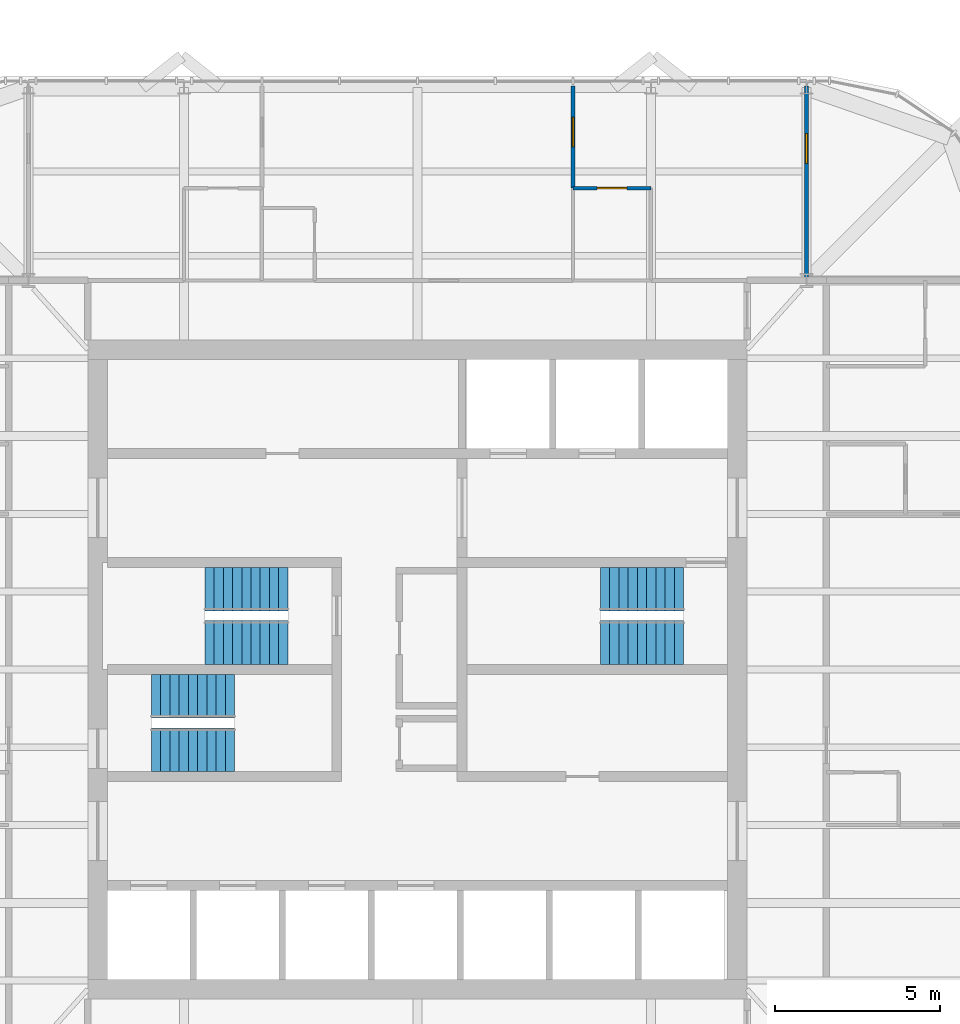
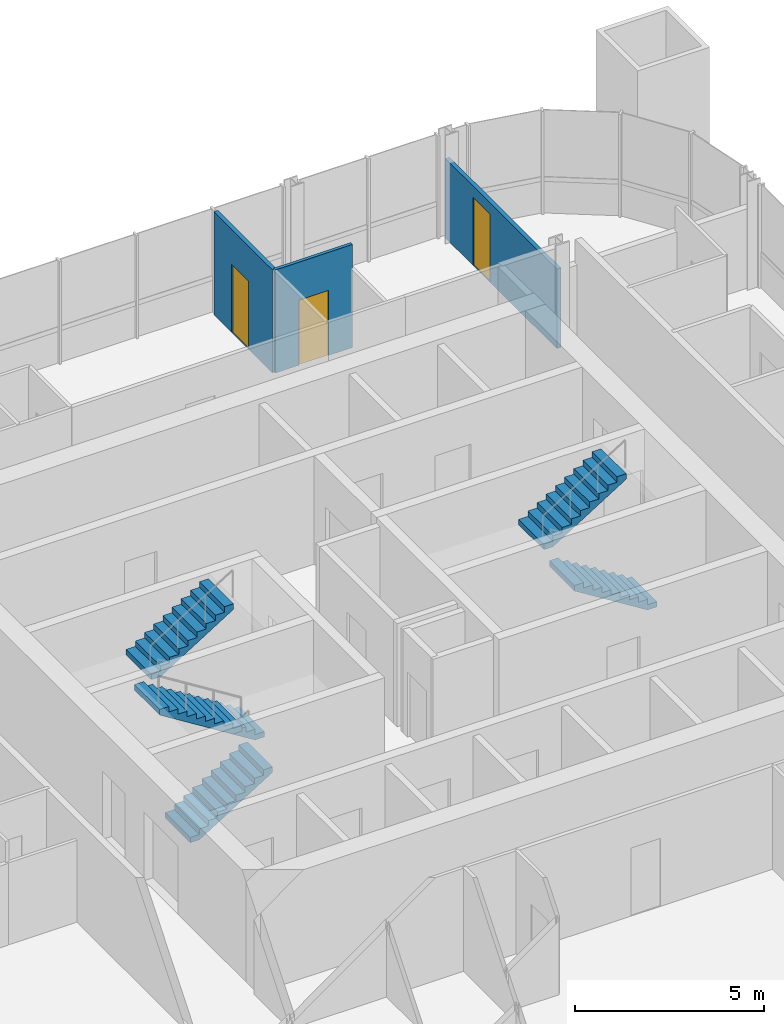
# One storey, part 16 of 17: 6 stair flights, 3 doors, 3 walls, 3 openings, 3 elements without a shape of their own.
"""IFC4 building model written with IfcOpenShell, lengths in metres."""

from ifc_helpers import new_model, si_unit, direction, frame, frame_2d, origin, place, context, subcontext, project, spatial, polyline, rectangle, outline, extrude, material, layer, layer_set, type_object, element, fill, aggregate, save


model = new_model("IFC4")

# Units and contexts
model_context = context("Model", 3, precision=1e-05, world=origin(), true_north=direction((0.0, 1.0)))
body_context = subcontext(model_context, "Body", "Model", "MODEL_VIEW")
ifc_project = project(units=[si_unit("LENGTHUNIT", "METRE"), si_unit("AREAUNIT", "SQUARE_METRE"), si_unit("VOLUMEUNIT", "CUBIC_METRE"), si_unit("PLANEANGLEUNIT", "RADIAN"), si_unit("MASSUNIT", "GRAM", prefix="KILO")], contexts=[model_context])

# Site, building, storey
site_placement = place(None, origin())
site = spatial("IfcSite", under=ifc_project, at=site_placement, CompositionType="ELEMENT")
building_placement = place(site_placement, origin())
building = spatial("IfcBuilding", under=site, at=building_placement, Name="Turquesa Mirador Hotel Tower", CompositionType="ELEMENT")
storey_placement = place(building_placement, frame((0.0, 0.0, 258.199951171875)))
storey = spatial("IfcBuildingStorey", under=building, at=storey_placement, Name="L70", CompositionType="ELEMENT", Elevation=258.199951171875)

# Wall, opening, door
ifc_material_1 = material(Name="Gypsum board on steel studs", Category="steel")
ifc_layer_1 = layer(ifc_material_1, 0.10009765625)
ifc_layer_set_1 = layer_set([ifc_layer_1], Name="BATHROOM WALL 100")
wall_type_1 = type_object("IfcWallType", Name="BATHROOM WALL 100", PredefinedType="PARTITIONING", material=ifc_layer_set_1)
wall_1_placement = place(storey_placement, frame((59.719970703125, 59.60009765625, 0.0), z_axis=(0.0, 0.0, 1.0), x_axis=(1.0, 0.0, 0.0)))
wall_1 = element("IfcWall", 1, at=wall_1_placement, inside=storey, type_object=wall_type_1, Name="Partition L70 030", PredefinedType="PARTITIONING", context=body_context, shape_type="SweptSolid", body=[
    extrude(rectangle(XDim=2.360107421875, YDim=0.10009765625, at=frame_2d((1.18017578125, 0.0))), origin(), (0.0, 0.0, 1.0), 3.330078125),
])
opening_1_placement = place(wall_1_placement, frame((0.72998046875, 0.0, 0.0)))
opening_1 = element("IfcOpeningElement", 2, at=opening_1_placement, cuts=wall_1, Name="Opening D02", PredefinedType="OPENING", context=body_context, shape_type="SweptSolid", body=[
    extrude(rectangle(XDim=0.89990234375, YDim=2.10009765625, at=frame_2d((0.449951171875, 1.050048828125))), frame((0.0, 0.06005859375, 0.0), z_axis=(0.0, -1.0, 0.0), x_axis=(1.0, 0.0, 0.0)), (0.0, 0.0, 1.0), 0.1201171875),
])
ifc_material_2 = material(Name="Timber veneered door", Category="wood")
door_type_1 = type_object("IfcDoorType", Name="DOOR 900X2100 EN-SUITE", OperationType="SINGLE_SWING_RIGHT", PredefinedType="DOOR", material=ifc_material_2)
door_1_placement = place(opening_1_placement, origin())
door_1 = element("IfcDoor", 3, at=door_1_placement, inside=storey, type_object=door_type_1, Name="Door 7001E", OperationType="SINGLE_SWING_RIGHT", OverallHeight=2.10009765625, OverallWidth=0.89990234375, PredefinedType="DOOR", context=body_context, shape_type="SweptSolid", body=[
    extrude(rectangle(XDim=0.89990234375, YDim=2.10009765625, at=frame_2d((0.449951171875, 1.050048828125))), frame((0.0, 0.02490234375, 0.0), z_axis=(0.0, -1.0, 0.0), x_axis=(1.0, 0.0, 0.0)), (0.0, 0.0, 1.0), 0.050048828125),
])
fill(opening_1, door_1)

ifc_material_3 = material(Name="Acoustic gypsum board on steel studs", Category="steel")
ifc_layer_2 = layer(ifc_material_3, 0.125)
ifc_layer_set_2 = layer_set([ifc_layer_2], Name="SUITE PARTITION 125")
wall_type_2 = type_object("IfcWallType", Name="SUITE PARTITION 125", PredefinedType="PARTITIONING", material=ifc_layer_set_2)
wall_2_placement = place(storey_placement, frame((66.800048828125, 56.800048828125, 0.0), z_axis=(0.0, 0.0, 1.0), x_axis=(0.0, 1.0, 0.0)))
wall_2 = element("IfcWall", 4, at=wall_2_placement, inside=storey, type_object=wall_type_2, Name="Partition L70 056", PredefinedType="PARTITIONING", context=body_context, shape_type="SweptSolid", body=[
    extrude(rectangle(XDim=5.89990234375, YDim=0.125, at=frame_2d((2.949951171875, 0.0))), origin(), (0.0, 0.0, 1.0), 2.568115234375),
])
opening_2_placement = place(wall_2_placement, frame((3.550048828125, 0.0, 0.0)))
opening_2 = element("IfcOpeningElement", 5, at=opening_2_placement, cuts=wall_2, Name="Opening D17", PredefinedType="OPENING", context=body_context, shape_type="SweptSolid", body=[
    extrude(rectangle(XDim=0.89990234375, YDim=2.199951171875, at=frame_2d((0.449951171875, 1.10009765625))), frame((0.0, 0.072509765625, 0.0), z_axis=(0.0, -1.0, 0.0), x_axis=(1.0, 0.0, 0.0)), (0.0, 0.0, 1.0), 0.14501953125),
])
ifc_material_4 = material(Name="Timber veneered door", Category="wood")
door_type_2 = type_object("IfcDoorType", Name="DOOR 900X2200 SUITE INTERNAL", OperationType="SINGLE_SWING_LEFT", PredefinedType="DOOR", material=ifc_material_4)
door_2_placement = place(opening_2_placement, origin())
door_2 = element("IfcDoor", 6, at=door_2_placement, inside=storey, type_object=door_type_2, Name="Door 7001U", OperationType="SINGLE_SWING_LEFT", OverallHeight=2.199951171875, OverallWidth=0.89990234375, PredefinedType="DOOR", context=body_context, shape_type="SweptSolid", body=[
    extrude(rectangle(XDim=0.89990234375, YDim=2.199951171875, at=frame_2d((0.449951171875, 1.10009765625))), frame((0.0, 0.02490234375, 0.0), z_axis=(0.0, -1.0, 0.0), x_axis=(1.0, 0.0, 0.0)), (0.0, 0.0, 1.0), 0.050048828125),
])
fill(opening_2, door_2)

wall_3_placement = place(storey_placement, frame((59.719970703125, 59.60009765625, 0.0), z_axis=(0.0, 0.0, 1.0), x_axis=(0.0, 1.0, 0.0)))
wall_3 = element("IfcWall", 7, at=wall_3_placement, inside=storey, type_object=wall_type_2, Name="Partition L70 064", PredefinedType="PARTITIONING", context=body_context, shape_type="SweptSolid", body=[
    extrude(rectangle(XDim=3.099853515625, YDim=0.125, at=frame_2d((1.5498046875, 0.0))), origin(), (0.0, 0.0, 1.0), 3.330078125),
])
opening_3_placement = place(wall_3_placement, frame((1.25, 0.0, 0.0)))
opening_3 = element("IfcOpeningElement", 8, at=opening_3_placement, cuts=wall_3, Name="Opening D17", PredefinedType="OPENING", context=body_context, shape_type="SweptSolid", body=[
    extrude(rectangle(XDim=0.89990234375, YDim=2.199951171875, at=frame_2d((0.449951171875, 1.10009765625))), frame((0.0, 0.072509765625, 0.0), z_axis=(0.0, -1.0, 0.0), x_axis=(1.0, 0.0, 0.0)), (0.0, 0.0, 1.0), 0.14501953125),
])
door_3_placement = place(opening_3_placement, origin())
door_3 = element("IfcDoor", 9, at=door_3_placement, inside=storey, type_object=door_type_2, Name="Door 7001S", OperationType="SINGLE_SWING_LEFT", OverallHeight=2.199951171875, OverallWidth=0.89990234375, PredefinedType="DOOR", context=body_context, shape_type="SweptSolid", body=[
    extrude(rectangle(XDim=0.89990234375, YDim=2.199951171875, at=frame_2d((0.449951171875, 1.10009765625))), frame((0.0, 0.02490234375, 0.0), z_axis=(0.0, -1.0, 0.0), x_axis=(1.0, 0.0, 0.0)), (0.0, 0.0, 1.0), 0.050048828125),
])
fill(opening_3, door_3)

# Stair, stair flights
ifc_material_5 = material(Name="Concrete C35/45", Category="concrete")
stair_type = type_object("IfcStairType", Name="ESCAPE STAIR CORE", PredefinedType="HALF_TURN_STAIR", material=ifc_material_5)
stair_1_placement = place(storey_placement, origin())
stair_1 = element("IfcStair", 10, at=stair_1_placement, inside=storey, type_object=stair_type, Name="Stair ST1 L70 to L71", PredefinedType="HALF_TURN_STAIR")
ifc_material_6 = material(Name="Concrete C35/45 precast flight", Category="concrete")
stair_flight_type = type_object("IfcStairFlightType", Name="STAIR FLIGHT 1330", PredefinedType="STRAIGHT", material=ifc_material_6)
stair_flight_1_placement = place(storey_placement, frame((51.070068359375, 45.81494140625, 0.0), z_axis=(0.0, 0.0, 1.0), x_axis=(-1.0, 0.0, 0.0)))
stair_flight_1 = element("IfcStairFlight", 11, at=stair_flight_1_placement, type_object=stair_flight_type, Name="ST1 flight 1", NumberOfRisers=10, NumberOfTreads=9, PredefinedType="STRAIGHT", RiserHeight=0.175, TreadLength=0.28, context=body_context, shape_type="SweptSolid", body=[
    extrude(outline(polyline([(0.0, 0.0), (0.0, 0.175048828125), (0.280029296875, 0.175048828125), (0.280029296875, 0.35009765625), (0.56005859375, 0.35009765625), (0.56005859375, 0.52490234375), (0.840087890625, 0.52490234375), (0.840087890625, 0.699951171875), (1.1201171875, 0.699951171875), (1.1201171875, 0.875), (1.39990234375, 0.875), (1.39990234375, 1.050048828125), (1.679931640625, 1.050048828125), (1.679931640625, 1.22509765625), (1.9599609375, 1.22509765625), (1.9599609375, 1.39990234375), (2.239990234375, 1.39990234375), (2.239990234375, 1.574951171875), (2.52001953125, 1.574951171875), (2.52001953125, 1.75), (2.52001953125, 1.398193359375), (0.28271484375, 0.0), (0.0, 0.0)])), frame((0.0, 0.6650390625, 0.0), z_axis=(0.0, -1.0, 0.0), x_axis=(1.0, 0.0, 0.0)), (0.0, 0.0, 1.0), 1.330078125),
])
stair_flight_2_placement = place(storey_placement, frame((48.550048828125, 47.43505859375, 1.75), z_axis=(0.0, 0.0, 1.0), x_axis=(1.0, 0.0, 0.0)))
stair_flight_2 = element("IfcStairFlight", 12, at=stair_flight_2_placement, type_object=stair_flight_type, Name="ST1 flight 2", NumberOfRisers=10, NumberOfTreads=9, PredefinedType="STRAIGHT", RiserHeight=0.175, TreadLength=0.28, context=body_context, shape_type="SweptSolid", body=[
    extrude(outline(polyline([(0.0, 0.0), (0.0, 0.175048828125), (0.280029296875, 0.175048828125), (0.280029296875, 0.35009765625), (0.56005859375, 0.35009765625), (0.56005859375, 0.52490234375), (0.840087890625, 0.52490234375), (0.840087890625, 0.699951171875), (1.1201171875, 0.699951171875), (1.1201171875, 0.875), (1.39990234375, 0.875), (1.39990234375, 1.050048828125), (1.679931640625, 1.050048828125), (1.679931640625, 1.22509765625), (1.9599609375, 1.22509765625), (1.9599609375, 1.39990234375), (2.239990234375, 1.39990234375), (2.239990234375, 1.574951171875), (2.52001953125, 1.574951171875), (2.52001953125, 1.75), (2.52001953125, 1.398193359375), (0.28271484375, 0.0), (0.0, 0.0)])), frame((0.0, 0.6650390625, 0.0), z_axis=(0.0, -1.0, 0.0), x_axis=(1.0, 0.0, 0.0)), (0.0, 0.0, 1.0), 1.330078125),
])
aggregate(stair_1, [stair_flight_1, stair_flight_2])

stair_2_placement = place(storey_placement, origin())
stair_2 = element("IfcStair", 13, at=stair_2_placement, inside=storey, type_object=stair_type, Name="Stair ST2 L70 to L71", PredefinedType="HALF_TURN_STAIR")
stair_flight_3_placement = place(storey_placement, frame((46.929931640625, 42.56494140625, 0.0), z_axis=(0.0, 0.0, 1.0), x_axis=(1.0, 0.0, 0.0)))
stair_flight_3 = element("IfcStairFlight", 14, at=stair_flight_3_placement, type_object=stair_flight_type, Name="ST2 flight 1", NumberOfRisers=10, NumberOfTreads=9, PredefinedType="STRAIGHT", RiserHeight=0.175, TreadLength=0.28, context=body_context, shape_type="SweptSolid", body=[
    extrude(outline(polyline([(0.0, 0.0), (0.0, 0.175048828125), (0.280029296875, 0.175048828125), (0.280029296875, 0.35009765625), (0.56005859375, 0.35009765625), (0.56005859375, 0.52490234375), (0.840087890625, 0.52490234375), (0.840087890625, 0.699951171875), (1.1201171875, 0.699951171875), (1.1201171875, 0.875), (1.39990234375, 0.875), (1.39990234375, 1.050048828125), (1.679931640625, 1.050048828125), (1.679931640625, 1.22509765625), (1.9599609375, 1.22509765625), (1.9599609375, 1.39990234375), (2.239990234375, 1.39990234375), (2.239990234375, 1.574951171875), (2.52001953125, 1.574951171875), (2.52001953125, 1.75), (2.52001953125, 1.398193359375), (0.28271484375, 0.0), (0.0, 0.0)])), frame((0.0, 0.6650390625, 0.0), z_axis=(0.0, -1.0, 0.0), x_axis=(1.0, 0.0, 0.0)), (0.0, 0.0, 1.0), 1.330078125),
])
stair_flight_4_placement = place(storey_placement, frame((49.449951171875, 44.18505859375, 1.75), z_axis=(0.0, 0.0, 1.0), x_axis=(-1.0, 0.0, 0.0)))
stair_flight_4 = element("IfcStairFlight", 15, at=stair_flight_4_placement, type_object=stair_flight_type, Name="ST2 flight 2", NumberOfRisers=10, NumberOfTreads=9, PredefinedType="STRAIGHT", RiserHeight=0.175, TreadLength=0.28, context=body_context, shape_type="SweptSolid", body=[
    extrude(outline(polyline([(0.0, 0.0), (0.0, 0.175048828125), (0.280029296875, 0.175048828125), (0.280029296875, 0.35009765625), (0.56005859375, 0.35009765625), (0.56005859375, 0.52490234375), (0.840087890625, 0.52490234375), (0.840087890625, 0.699951171875), (1.1201171875, 0.699951171875), (1.1201171875, 0.875), (1.39990234375, 0.875), (1.39990234375, 1.050048828125), (1.679931640625, 1.050048828125), (1.679931640625, 1.22509765625), (1.9599609375, 1.22509765625), (1.9599609375, 1.39990234375), (2.239990234375, 1.39990234375), (2.239990234375, 1.574951171875), (2.52001953125, 1.574951171875), (2.52001953125, 1.75), (2.52001953125, 1.398193359375), (0.28271484375, 0.0), (0.0, 0.0)])), frame((0.0, 0.6650390625, 0.0), z_axis=(0.0, -1.0, 0.0), x_axis=(1.0, 0.0, 0.0)), (0.0, 0.0, 1.0), 1.330078125),
])
aggregate(stair_2, [stair_flight_3, stair_flight_4])

stair_3_placement = place(storey_placement, origin())
stair_3 = element("IfcStair", 16, at=stair_3_placement, inside=storey, type_object=stair_type, Name="Stair ST3 L70 to L71", PredefinedType="HALF_TURN_STAIR")
stair_flight_5_placement = place(storey_placement, frame((63.070068359375, 45.81494140625, 0.0), z_axis=(0.0, 0.0, 1.0), x_axis=(-1.0, 0.0, 0.0)))
stair_flight_5 = element("IfcStairFlight", 17, at=stair_flight_5_placement, type_object=stair_flight_type, Name="ST3 flight 1", NumberOfRisers=10, NumberOfTreads=9, PredefinedType="STRAIGHT", RiserHeight=0.175, TreadLength=0.28, context=body_context, shape_type="SweptSolid", body=[
    extrude(outline(polyline([(0.0, 0.0), (0.0, 0.175048828125), (0.280029296875, 0.175048828125), (0.280029296875, 0.35009765625), (0.56005859375, 0.35009765625), (0.56005859375, 0.52490234375), (0.840087890625, 0.52490234375), (0.840087890625, 0.699951171875), (1.1201171875, 0.699951171875), (1.1201171875, 0.875), (1.39990234375, 0.875), (1.39990234375, 1.050048828125), (1.679931640625, 1.050048828125), (1.679931640625, 1.22509765625), (1.9599609375, 1.22509765625), (1.9599609375, 1.39990234375), (2.239990234375, 1.39990234375), (2.239990234375, 1.574951171875), (2.52001953125, 1.574951171875), (2.52001953125, 1.75), (2.52001953125, 1.398193359375), (0.28271484375, 0.0), (0.0, 0.0)])), frame((0.0, 0.6650390625, 0.0), z_axis=(0.0, -1.0, 0.0), x_axis=(1.0, 0.0, 0.0)), (0.0, 0.0, 1.0), 1.330078125),
])
stair_flight_6_placement = place(storey_placement, frame((60.550048828125, 47.43505859375, 1.75), z_axis=(0.0, 0.0, 1.0), x_axis=(1.0, 0.0, 0.0)))
stair_flight_6 = element("IfcStairFlight", 18, at=stair_flight_6_placement, type_object=stair_flight_type, Name="ST3 flight 2", NumberOfRisers=10, NumberOfTreads=9, PredefinedType="STRAIGHT", RiserHeight=0.175, TreadLength=0.28, context=body_context, shape_type="SweptSolid", body=[
    extrude(outline(polyline([(0.0, 0.0), (0.0, 0.175048828125), (0.280029296875, 0.175048828125), (0.280029296875, 0.35009765625), (0.56005859375, 0.35009765625), (0.56005859375, 0.52490234375), (0.840087890625, 0.52490234375), (0.840087890625, 0.699951171875), (1.1201171875, 0.699951171875), (1.1201171875, 0.875), (1.39990234375, 0.875), (1.39990234375, 1.050048828125), (1.679931640625, 1.050048828125), (1.679931640625, 1.22509765625), (1.9599609375, 1.22509765625), (1.9599609375, 1.39990234375), (2.239990234375, 1.39990234375), (2.239990234375, 1.574951171875), (2.52001953125, 1.574951171875), (2.52001953125, 1.75), (2.52001953125, 1.398193359375), (0.28271484375, 0.0), (0.0, 0.0)])), frame((0.0, 0.6650390625, 0.0), z_axis=(0.0, -1.0, 0.0), x_axis=(1.0, 0.0, 0.0)), (0.0, 0.0, 1.0), 1.330078125),
])
aggregate(stair_3, [stair_flight_5, stair_flight_6])

save(model, "model.ifc")
